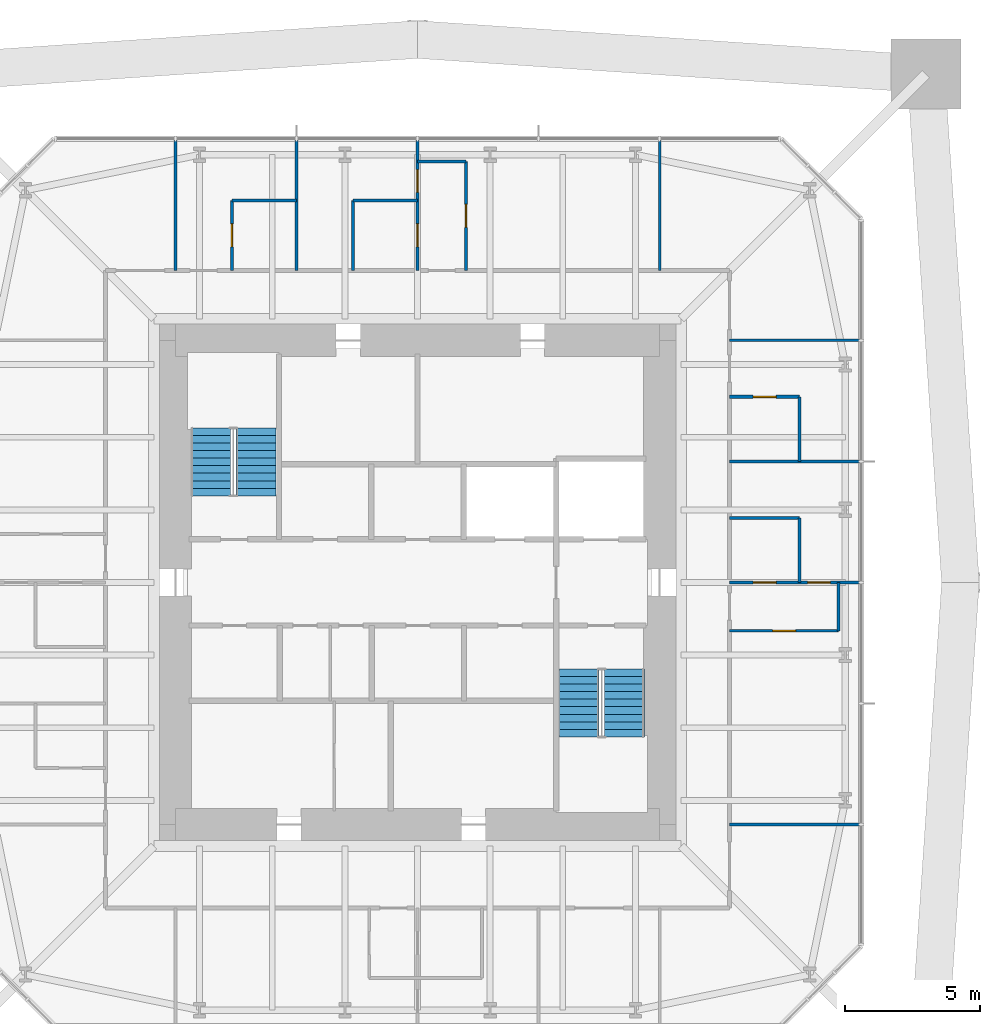
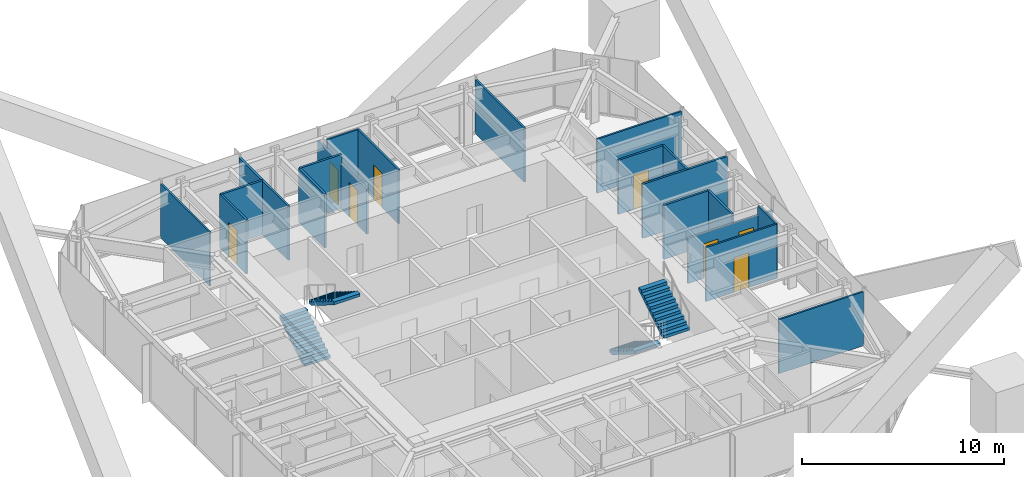
# One storey, part 10 of 11: 20 walls, 8 doors, 4 stair flights, 8 openings, 2 elements without a shape of their own.
"""IFC4 building model written with IfcOpenShell, lengths in metres."""

import ifcopenshell
import ifcopenshell.guid

model = None  # the IFC model being written
_history = None  # IfcOwnerHistory: only IFC2X3 demands one
_inside = {}  # id of a spatial element -> (the spatial element, [elements in it])
_under = {}  # id of a project, library or spatial element -> (it, [spatial elements below it])
_declared = {}  # id of a project -> (the project, [libraries it declares])
_typed = {}  # id of a type object -> (the type object, [elements of that type])
_made_of = {}  # id of a material, layer set ... -> (it, [elements and type objects made of it])


def new_model(schema):
    """Start an empty IFC model of exactly this schema.

    Asked for "IFC4X3", IfcOpenShell would pick the latest addendum, in which some entities
    have other attributes; the version numbers below select the first issue.
    IFC2X3 requires an IfcOwnerHistory on every rooted entity: one is made here for all.
    """
    global model, _history
    if schema == "IFC4X3":
        model = ifcopenshell.file(schema_version=(4, 3, 0, 0))
    else:
        model = ifcopenshell.file(schema=schema)
    _inside.clear()
    _under.clear()
    _declared.clear()
    _typed.clear()
    _made_of.clear()
    _history = None
    if model.schema == "IFC2X3":
        org = make("IfcOrganization", Name="unknown")
        user = make(
            "IfcPersonAndOrganization",
            ThePerson=make("IfcPerson", FamilyName="unknown"),
            TheOrganization=org,
        )
        app = make(
            "IfcApplication",
            ApplicationDeveloper=org,
            Version="unknown",
            ApplicationFullName="unknown",
            ApplicationIdentifier="unknown",
        )
        _history = make(
            "IfcOwnerHistory",
            OwningUser=user,
            OwningApplication=app,
            ChangeAction="ADDED",
            CreationDate=0,
        )
    return model


def make(cls, **values):
    """One entity of the class cls with the attributes given. An attribute that is None is left unset."""
    return model.create_entity(
        cls, **{name: value for name, value in values.items() if value is not None}
    )


def rooted(cls, **values):
    """An entity with a GlobalId (a new one), such as an element, a storey or a relation."""
    return make(cls, GlobalId=ifcopenshell.guid.new(), OwnerHistory=_history, **values)


def si_unit(unit_type, name, prefix=None):
    """IfcSIUnit, for example si_unit("LENGTHUNIT", "METRE", prefix="MILLI")."""
    return make("IfcSIUnit", UnitType=unit_type, Prefix=prefix, Name=name)


def assignment(units):
    """IfcUnitAssignment: the units of a project."""
    return None if units is None else make("IfcUnitAssignment", Units=units)


def point(xyz):
    """IfcCartesianPoint."""
    return None if xyz is None else make("IfcCartesianPoint", Coordinates=xyz)


def direction(xyz):
    """IfcDirection."""
    return None if xyz is None else make("IfcDirection", DirectionRatios=xyz)


def frame(location, z_axis=None, x_axis=None):
    """IfcAxis2Placement3D, a coordinate frame: its origin and axes. An axis left out is left unset."""
    return make(
        "IfcAxis2Placement3D",
        Location=point(location),
        Axis=direction(z_axis),
        RefDirection=direction(x_axis),
    )


def frame_2d(location, x_axis=None):
    """IfcAxis2Placement2D, a coordinate frame in the plane: its origin and x axis."""
    return make(
        "IfcAxis2Placement2D", Location=point(location), RefDirection=direction(x_axis)
    )


def origin():
    """The frame at (0, 0, 0) with its axes left unset."""
    return frame((0.0, 0.0, 0.0))


def place(relative_to, where):
    """IfcLocalPlacement: puts the frame where relative to a parent placement (None: the world)."""
    return make(
        "IfcLocalPlacement", PlacementRelTo=relative_to, RelativePlacement=where
    )


def context(
    kind, dimensions, precision=None, world=None, true_north=None, identifier=None
):
    """IfcGeometricRepresentationContext, for example the 3D "Model" context."""
    return make(
        "IfcGeometricRepresentationContext",
        ContextIdentifier=identifier,
        ContextType=kind,
        CoordinateSpaceDimension=dimensions,
        Precision=precision,
        WorldCoordinateSystem=world,
        TrueNorth=true_north,
    )


def subcontext(parent, identifier, kind, view, scale=None):
    """IfcGeometricRepresentationSubContext, for example "Body" below "Model"."""
    return make(
        "IfcGeometricRepresentationSubContext",
        ContextIdentifier=identifier,
        ContextType=kind,
        ParentContext=parent,
        TargetScale=scale,
        TargetView=view,
    )


def project(units=None, contexts=None):
    """IfcProject with its units and contexts."""
    return rooted(
        "IfcProject",
        Name="project",
        RepresentationContexts=contexts,
        UnitsInContext=assignment(units),
    )


def spatial(cls, under=None, at=None, **own):
    """A site, building, storey or space (cls), placed at a placement, below another one or the project."""
    s = rooted(cls, ObjectPlacement=at, **own)
    if under is not None:
        _under.setdefault(under.id(), (under, []))[1].append(s)
    return s


def polyline(points):
    """IfcPolyline through the points."""
    return make("IfcPolyline", Points=[point(p) for p in points])


def profile(cls, at=None, kind="AREA", **sizes):
    """A parametric profile (cls). Its sizes go by their IFC names, for example OverallWidth=200.0."""
    return make(cls, ProfileType=kind, Position=at, **sizes)


def rectangle(**sizes):
    """IfcRectangleProfileDef."""
    return profile("IfcRectangleProfileDef", **sizes)


def outline(outer, holes=None, kind="AREA"):
    """IfcArbitraryClosedProfileDef: a profile drawn as a closed curve; with holes, ...WithVoids."""
    if holes is None:
        return make("IfcArbitraryClosedProfileDef", ProfileType=kind, OuterCurve=outer)
    return make(
        "IfcArbitraryProfileDefWithVoids",
        ProfileType=kind,
        OuterCurve=outer,
        InnerCurves=holes,
    )


def extrude(swept, where, along, depth):
    """IfcExtrudedAreaSolid: the profile swept, set in the frame where, extruded along a direction by depth."""
    return make(
        "IfcExtrudedAreaSolid",
        SweptArea=swept,
        Position=where,
        ExtrudedDirection=direction(along),
        Depth=depth,
    )


def shape(context_of_items, identifier, shape_type, items):
    """IfcShapeRepresentation: the items that make up one representation, for example the "Body"."""
    return make(
        "IfcShapeRepresentation",
        ContextOfItems=context_of_items,
        RepresentationIdentifier=identifier,
        RepresentationType=shape_type,
        Items=items,
    )


def material(Name=None, Category=None):
    """IfcMaterial."""
    return make("IfcMaterial", Name=Name, Category=Category)


def layer(
    of_material, thickness, ventilated=None, Name=None, Category=None, Priority=None
):
    """IfcMaterialLayer: one layer of a wall or slab, of a material (None: an air gap)."""
    return make(
        "IfcMaterialLayer",
        Material=of_material,
        LayerThickness=thickness,
        IsVentilated=ventilated,
        Name=Name,
        Category=Category,
        Priority=Priority,
    )


def layer_set(layers, Name=None):
    """IfcMaterialLayerSet."""
    return make("IfcMaterialLayerSet", MaterialLayers=layers, LayerSetName=Name)


def constituent(of_material, Name=None, Category=None, fraction=None):
    """IfcMaterialConstituent: one of the materials an element consists of."""
    return make(
        "IfcMaterialConstituent",
        Name=Name,
        Material=of_material,
        Fraction=fraction,
        Category=Category,
    )


def constituent_set(constituents=None, Name=None):
    """IfcMaterialConstituentSet."""
    return make(
        "IfcMaterialConstituentSet", Name=Name, MaterialConstituents=constituents
    )


def made_of(thing, what):
    """Note that an element or type object is made of a material, layer set ...; save() writes the relation."""
    if what is not None:
        _made_of.setdefault(what.id(), (what, []))[1].append(thing)
    return thing


def type_object(cls, material=None, **own):
    """A type object (cls), such as IfcWallType, which elements share."""
    return made_of(rooted(cls, **own), material)


def element(
    cls,
    number,
    at=None,
    inside=None,
    cuts=None,
    type_object=None,
    material=None,
    context=None,
    identifier="Body",
    shape_type=None,
    held_by="IfcProductDefinitionShape",
    body=None,
    shapes=None,
    **own,
):
    """One element of the class cls, such as IfcWall. Its Tag is "e" and its number.

    at: its placement. inside: the storey or other place that contains it. cuts: it is an
    opening in that element (IfcRelVoidsElement). A single representation is given by context,
    identifier, shape_type and body (its items); several are given by shapes. held_by: the class
    of the entity that holds the representations. save() writes the other relations.
    """
    e = rooted(cls, Tag="e%d" % number, ObjectPlacement=at, **own)
    if body is not None:
        shapes = [shape(context, identifier, shape_type, body)]
    if shapes is not None:
        e.Representation = make(held_by, Representations=shapes)
    if inside is not None:
        _inside.setdefault(inside.id(), (inside, []))[1].append(e)
    if cuts is not None:
        rooted(
            "IfcRelVoidsElement", RelatingBuildingElement=cuts, RelatedOpeningElement=e
        )
    if type_object is not None:
        _typed.setdefault(type_object.id(), (type_object, []))[1].append(e)
    return made_of(e, material)


def fill(opening, filler):
    """IfcRelFillsElement: the door or window that sits in an opening."""
    return rooted(
        "IfcRelFillsElement",
        RelatingOpeningElement=opening,
        RelatedBuildingElement=filler,
    )


def aggregate(whole, parts):
    """IfcRelAggregates: a whole, such as a stair, and the parts it consists of."""
    return rooted("IfcRelAggregates", RelatingObject=whole, RelatedObjects=parts)


def save(model, path):
    """Write the relations noted so far, then the file.

    IfcRelAggregates (storeys below a building ...), IfcRelContainedInSpatialStructure (elements
    in a storey), IfcRelDefinesByType, IfcRelAssociatesMaterial and IfcRelDeclares: one each for
    every whole, place, type object, material and project.
    """
    for whole, parts in _under.values():
        aggregate(whole, parts)
    for where, things in _inside.values():
        rooted(
            "IfcRelContainedInSpatialStructure",
            RelatedElements=things,
            RelatingStructure=where,
        )
    for kind, things in _typed.values():
        rooted("IfcRelDefinesByType", RelatedObjects=things, RelatingType=kind)
    for what, things in _made_of.values():
        rooted("IfcRelAssociatesMaterial", RelatedObjects=things, RelatingMaterial=what)
    for by, libraries in _declared.values():
        rooted("IfcRelDeclares", RelatingContext=by, RelatedDefinitions=libraries)
    model.write(path)


model = new_model("IFC4")

# Units and contexts
model_context = context("Model", 3, precision=1e-05, world=origin(), true_north=direction((0.0, 1.0)))
body_context = subcontext(model_context, "Body", "Model", "MODEL_VIEW")
ifc_project = project(units=[si_unit("LENGTHUNIT", "METRE"), si_unit("AREAUNIT", "SQUARE_METRE"), si_unit("VOLUMEUNIT", "CUBIC_METRE"), si_unit("PLANEANGLEUNIT", "RADIAN"), si_unit("MASSUNIT", "GRAM", prefix="KILO")], contexts=[model_context])

# Site, building, storey
site_placement = place(None, origin())
site = spatial("IfcSite", under=ifc_project, at=site_placement, CompositionType="ELEMENT")
building_placement = place(site_placement, origin())
building = spatial("IfcBuilding", under=site, at=building_placement, Name="Iwan Alto Co-Living Towers", CompositionType="ELEMENT")
storey_placement = place(building_placement, frame((0.0, 0.0, 229.0)))
storey = spatial("IfcBuildingStorey", under=building, at=storey_placement, Name="L62", CompositionType="ELEMENT", Elevation=229.0)

# Wall
ifc_material_1 = material(Name="Gypsum board")
ifc_layer_1 = layer(ifc_material_1, 0.012451171875, Name="Board", Category="Finish")
ifc_material_2 = material(Name="Steel ASTM A1003 ST33H cold-formed studs", Category="steel")
ifc_layer_2 = layer(ifc_material_2, 0.074951171875, Name="Studs", Category="Framing")
ifc_layer_3 = layer(ifc_material_1, 0.012451171875, Name="Board", Category="Finish")
ifc_layer_set_1 = layer_set([ifc_layer_1, ifc_layer_2, ifc_layer_3], Name="PARTITION 100")
wall_type_1 = type_object("IfcWallType", Name="PARTITION 100", PredefinedType="PARTITIONING", material=ifc_layer_set_1)
wall_1_placement = place(storey_placement, frame((11.60009765625, -9.0, 0.0), z_axis=(0.0, 0.0, 1.0), x_axis=(1.0, 0.0, 0.0)))
element("IfcWall", 1, at=wall_1_placement, inside=storey, type_object=wall_type_1, Name="Partition L62", PredefinedType="PARTITIONING", context=body_context, shape_type="SweptSolid", body=[
    extrude(rectangle(XDim=4.83984375, YDim=0.10009765625, at=frame_2d((2.419921875, 0.0))), origin(), (0.0, 0.0, 1.0), 3.27001953125),
])

# Wall, opening, door
wall_2_placement = place(storey_placement, frame((11.60009765625, -1.800048828125, 0.0), z_axis=(0.0, 0.0, 1.0), x_axis=(1.0, 0.0, 0.0)))
wall_2 = element("IfcWall", 2, at=wall_2_placement, inside=storey, type_object=wall_type_1, Name="Partition L62", PredefinedType="PARTITIONING", context=body_context, shape_type="SweptSolid", body=[
    extrude(rectangle(XDim=4.0498046875, YDim=0.10009765625, at=frame_2d((2.02490234375, 0.0))), origin(), (0.0, 0.0, 1.0), 3.27001953125),
])
opening_1_placement = place(wall_2_placement, frame((1.60009765625, 0.0, 0.0)))
opening_1 = element("IfcOpeningElement", 3, at=opening_1_placement, cuts=wall_2, Name="Opening D2", PredefinedType="OPENING", context=body_context, shape_type="SweptSolid", body=[
    extrude(rectangle(XDim=0.85009765625, YDim=2.10009765625, at=frame_2d((0.425048828125, 1.050048828125))), frame((0.0, 0.06005859375, 0.0), z_axis=(0.0, -1.0, 0.0), x_axis=(1.0, 0.0, 0.0)), (0.0, 0.0, 1.0), 0.1201171875),
])
ifc_material_3 = material(Name="Timber leaf in steel frame", Category="steel")
door_type = type_object("IfcDoorType", Name="ROOM DOOR 850X2100", OperationType="SINGLE_SWING_LEFT", PredefinedType="DOOR", material=ifc_material_3)
door_1_placement = place(opening_1_placement, frame((0.85009765625, 0.0, 0.0), z_axis=(0.0, 0.0, 1.0), x_axis=(-1.0, 0.0, 0.0)))
door_1 = element("IfcDoor", 4, at=door_1_placement, inside=storey, type_object=door_type, Name="Apartment foyer door L62", OperationType="SINGLE_SWING_RIGHT", OverallHeight=2.10009765625, OverallWidth=0.85009765625, PredefinedType="DOOR", context=body_context, shape_type="SweptSolid", body=[
    extrude(rectangle(XDim=0.85009765625, YDim=2.10009765625, at=frame_2d((0.425048828125, 1.050048828125))), frame((0.0, 0.02490234375, 0.0), z_axis=(0.0, -1.0, 0.0), x_axis=(1.0, 0.0, 0.0)), (0.0, 0.0, 1.0), 0.050048828125),
])
fill(opening_1, door_1)

# Walls
wall_3_placement = place(storey_placement, frame((11.60009765625, 9.0, 0.0), z_axis=(0.0, 0.0, 1.0), x_axis=(1.0, 0.0, 0.0)))
element("IfcWall", 5, at=wall_3_placement, inside=storey, type_object=wall_type_1, Name="Partition L62", PredefinedType="PARTITIONING", context=body_context, shape_type="SweptSolid", body=[
    extrude(rectangle(XDim=4.83984375, YDim=0.10009765625, at=frame_2d((2.419921875, 0.0))), origin(), (0.0, 0.0, 1.0), 3.27001953125),
])
for number, where, z_axis, x_axis, name in (
    (6, (0.0, 15.64990234375, 0.0), (0.0, 0.0, 1.0), (1.0, 0.0, 0.0), "Partition L62"),
    (7, (15.64990234375, -1.800048828125, 0.0), (0.0, 0.0, 1.0), (0.0, 1.0, 0.0), "Partition L62"),
):
    element("IfcWall", number, at=place(storey_placement, frame(where, z_axis=z_axis, x_axis=x_axis)), inside=storey, type_object=wall_type_1, Name=name, PredefinedType="PARTITIONING", context=body_context, shape_type="SweptSolid", body=[
        extrude(rectangle(XDim=1.800048828125, YDim=0.10009765625, at=frame_2d((0.89990234375, 0.0))), origin(), (0.0, 0.0, 1.0), 3.27001953125),
    ])
wall_4_placement = place(storey_placement, frame((9.0, 11.60009765625, 0.0), z_axis=(0.0, 0.0, 1.0), x_axis=(0.0, 1.0, 0.0)))
element("IfcWall", 8, at=wall_4_placement, inside=storey, type_object=wall_type_1, Name="Partition L62", PredefinedType="PARTITIONING", context=body_context, shape_type="SweptSolid", body=[
    extrude(rectangle(XDim=4.83984375, YDim=0.10009765625, at=frame_2d((2.419921875, 0.0))), origin(), (0.0, 0.0, 1.0), 3.27001953125),
])

# Wall, opening, door
wall_5_placement = place(storey_placement, frame((1.800048828125, 11.60009765625, 0.0), z_axis=(0.0, 0.0, 1.0), x_axis=(0.0, 1.0, 0.0)))
wall_5 = element("IfcWall", 9, at=wall_5_placement, inside=storey, type_object=wall_type_1, Name="Partition L62", PredefinedType="PARTITIONING", context=body_context, shape_type="SweptSolid", body=[
    extrude(rectangle(XDim=4.0498046875, YDim=0.10009765625, at=frame_2d((2.02490234375, 0.0))), origin(), (0.0, 0.0, 1.0), 3.27001953125),
])
opening_2_placement = place(wall_5_placement, frame((1.60009765625, 0.0, 0.0)))
opening_2 = element("IfcOpeningElement", 10, at=opening_2_placement, cuts=wall_5, Name="Opening D2", PredefinedType="OPENING", context=body_context, shape_type="SweptSolid", body=[
    extrude(rectangle(XDim=0.85009765625, YDim=2.10009765625, at=frame_2d((0.425048828125, 1.050048828125))), frame((0.0, 0.06005859375, 0.0), z_axis=(0.0, -1.0, 0.0), x_axis=(1.0, 0.0, 0.0)), (0.0, 0.0, 1.0), 0.1201171875),
])
door_2_placement = place(opening_2_placement, frame((0.85009765625, 0.0, 0.0), z_axis=(0.0, 0.0, 1.0), x_axis=(-1.0, 0.0, 0.0)))
door_2 = element("IfcDoor", 11, at=door_2_placement, inside=storey, type_object=door_type, Name="Apartment foyer door L62", OperationType="SINGLE_SWING_RIGHT", OverallHeight=2.10009765625, OverallWidth=0.85009765625, PredefinedType="DOOR", context=body_context, shape_type="SweptSolid", body=[
    extrude(rectangle(XDim=0.85009765625, YDim=2.10009765625, at=frame_2d((0.425048828125, 1.050048828125))), frame((0.0, 0.02490234375, 0.0), z_axis=(0.0, -1.0, 0.0), x_axis=(1.0, 0.0, 0.0)), (0.0, 0.0, 1.0), 0.050048828125),
])
fill(opening_2, door_2)

# Wall
wall_6_placement = place(storey_placement, frame((-9.0, 11.60009765625, 0.0), z_axis=(0.0, 0.0, 1.0), x_axis=(0.0, 1.0, 0.0)))
element("IfcWall", 12, at=wall_6_placement, inside=storey, type_object=wall_type_1, Name="Partition L62", PredefinedType="PARTITIONING", context=body_context, shape_type="SweptSolid", body=[
    extrude(rectangle(XDim=4.83984375, YDim=0.10009765625, at=frame_2d((2.419921875, 0.0))), origin(), (0.0, 0.0, 1.0), 3.27001953125),
])

# Wall, openings, doors
ifc_material_4 = material(Name="Cement board")
ifc_layer_4 = layer(ifc_material_4, 0.012451171875, Name="Board", Category="Finish")
ifc_layer_5 = layer(ifc_material_2, 0.094970703125, Name="Studs", Category="Framing")
ifc_layer_6 = layer(ifc_material_4, 0.012451171875, Name="Board", Category="Finish")
ifc_layer_set_2 = layer_set([ifc_layer_4, ifc_layer_5, ifc_layer_6], Name="WET AREA PARTITION 120")
wall_type_2 = type_object("IfcWallType", Name="WET AREA PARTITION 120", PredefinedType="PARTITIONING", material=ifc_layer_set_2)
wall_7_placement = place(storey_placement, frame((11.60009765625, 0.0, 0.0), z_axis=(0.0, 0.0, 1.0), x_axis=(1.0, 0.0, 0.0)))
wall_7 = element("IfcWall", 13, at=wall_7_placement, inside=storey, type_object=wall_type_2, Name="Partition L62", PredefinedType="PARTITIONING", context=body_context, shape_type="SweptSolid", body=[
    extrude(rectangle(XDim=4.83984375, YDim=0.1201171875, at=frame_2d((2.419921875, 0.0))), origin(), (0.0, 0.0, 1.0), 2.736572265625),
])
opening_3_placement = place(wall_7_placement, frame((2.89990234375, 0.0, 0.0)))
opening_3 = element("IfcOpeningElement", 14, at=opening_3_placement, cuts=wall_7, Name="Opening D2", PredefinedType="OPENING", context=body_context, shape_type="SweptSolid", body=[
    extrude(rectangle(XDim=0.85009765625, YDim=2.10009765625, at=frame_2d((0.425048828125, 1.050048828125))), frame((0.0, 0.070068359375, 0.0), z_axis=(0.0, -1.0, 0.0), x_axis=(1.0, 0.0, 0.0)), (0.0, 0.0, 1.0), 0.14013671875),
])
opening_4_placement = place(wall_7_placement, frame((0.875, 0.0, 0.0)))
opening_4 = element("IfcOpeningElement", 15, at=opening_4_placement, cuts=wall_7, Name="Opening D2", PredefinedType="OPENING", context=body_context, shape_type="SweptSolid", body=[
    extrude(rectangle(XDim=0.85009765625, YDim=2.10009765625, at=frame_2d((0.425048828125, 1.050048828125))), frame((0.0, 0.070068359375, 0.0), z_axis=(0.0, -1.0, 0.0), x_axis=(1.0, 0.0, 0.0)), (0.0, 0.0, 1.0), 0.14013671875),
])
door_3_placement = place(opening_3_placement, origin())
door_3 = element("IfcDoor", 16, at=door_3_placement, inside=storey, type_object=door_type, Name="Bedroom door L62", OperationType="SINGLE_SWING_LEFT", OverallHeight=2.10009765625, OverallWidth=0.85009765625, PredefinedType="DOOR", context=body_context, shape_type="SweptSolid", body=[
    extrude(rectangle(XDim=0.85009765625, YDim=2.10009765625, at=frame_2d((0.425048828125, 1.050048828125))), frame((0.0, 0.02490234375, 0.0), z_axis=(0.0, -1.0, 0.0), x_axis=(1.0, 0.0, 0.0)), (0.0, 0.0, 1.0), 0.050048828125),
])
fill(opening_3, door_3)
door_4_placement = place(opening_4_placement, origin())
door_4 = element("IfcDoor", 17, at=door_4_placement, inside=storey, type_object=door_type, Name="Bathroom door L62", OperationType="SINGLE_SWING_LEFT", OverallHeight=2.10009765625, OverallWidth=0.85009765625, PredefinedType="DOOR", context=body_context, shape_type="SweptSolid", body=[
    extrude(rectangle(XDim=0.85009765625, YDim=2.10009765625, at=frame_2d((0.425048828125, 1.050048828125))), frame((0.0, 0.02490234375, 0.0), z_axis=(0.0, -1.0, 0.0), x_axis=(1.0, 0.0, 0.0)), (0.0, 0.0, 1.0), 0.050048828125),
])
fill(opening_4, door_4)

# Walls
wall_8_placement = place(storey_placement, frame((11.60009765625, 2.39990234375, 0.0), z_axis=(0.0, 0.0, 1.0), x_axis=(1.0, 0.0, 0.0)))
element("IfcWall", 18, at=wall_8_placement, inside=storey, type_object=wall_type_2, Name="Partition L62", PredefinedType="PARTITIONING", context=body_context, shape_type="SweptSolid", body=[
    extrude(rectangle(XDim=2.599853515625, YDim=0.1201171875, at=frame_2d((1.2998046875, 0.0))), origin(), (0.0, 0.0, 1.0), 3.27001953125),
])
wall_9_placement = place(storey_placement, frame((11.60009765625, 4.5, 0.0), z_axis=(0.0, 0.0, 1.0), x_axis=(1.0, 0.0, 0.0)))
element("IfcWall", 19, at=wall_9_placement, inside=storey, type_object=wall_type_2, Name="Partition L62", PredefinedType="PARTITIONING", context=body_context, shape_type="SweptSolid", body=[
    extrude(rectangle(XDim=4.83984375, YDim=0.1201171875, at=frame_2d((2.419921875, 0.0))), origin(), (0.0, 0.0, 1.0), 3.27001953125),
])

# Wall, opening, door
wall_10_placement = place(storey_placement, frame((11.60009765625, 6.89990234375, 0.0), z_axis=(0.0, 0.0, 1.0), x_axis=(1.0, 0.0, 0.0)))
wall_10 = element("IfcWall", 20, at=wall_10_placement, inside=storey, type_object=wall_type_2, Name="Partition L62", PredefinedType="PARTITIONING", context=body_context, shape_type="SweptSolid", body=[
    extrude(rectangle(XDim=2.599853515625, YDim=0.1201171875, at=frame_2d((1.2998046875, 0.0))), origin(), (0.0, 0.0, 1.0), 3.27001953125),
])
opening_5_placement = place(wall_10_placement, frame((0.875, 0.0, 0.0)))
opening_5 = element("IfcOpeningElement", 21, at=opening_5_placement, cuts=wall_10, Name="Opening D2", PredefinedType="OPENING", context=body_context, shape_type="SweptSolid", body=[
    extrude(rectangle(XDim=0.85009765625, YDim=2.10009765625, at=frame_2d((0.425048828125, 1.050048828125))), frame((0.0, 0.070068359375, 0.0), z_axis=(0.0, -1.0, 0.0), x_axis=(1.0, 0.0, 0.0)), (0.0, 0.0, 1.0), 0.14013671875),
])
door_5_placement = place(opening_5_placement, origin())
door_5 = element("IfcDoor", 22, at=door_5_placement, inside=storey, type_object=door_type, Name="En-suite shower room door L62", OperationType="SINGLE_SWING_LEFT", OverallHeight=2.10009765625, OverallWidth=0.85009765625, PredefinedType="DOOR", context=body_context, shape_type="SweptSolid", body=[
    extrude(rectangle(XDim=0.85009765625, YDim=2.10009765625, at=frame_2d((0.425048828125, 1.050048828125))), frame((0.0, 0.02490234375, 0.0), z_axis=(0.0, -1.0, 0.0), x_axis=(1.0, 0.0, 0.0)), (0.0, 0.0, 1.0), 0.050048828125),
])
fill(opening_5, door_5)

# Walls
for number, where, z_axis, x_axis, name in (
    (23, (-6.89990234375, 14.199951171875, 0.0), (0.0, 0.0, 1.0), (1.0, 0.0, 0.0), "Partition L62"),
    (24, (-2.39990234375, 14.199951171875, 0.0), (0.0, 0.0, 1.0), (1.0, 0.0, 0.0), "Partition L62"),
    (25, (14.199951171875, 0.0, 0.0), (0.0, 0.0, 1.0), (0.0, 1.0, 0.0), "Partition L62"),
    (26, (14.199951171875, 4.5, 0.0), (0.0, 0.0, 1.0), (0.0, 1.0, 0.0), "Partition L62"),
):
    element("IfcWall", number, at=place(storey_placement, frame(where, z_axis=z_axis, x_axis=x_axis)), inside=storey, type_object=wall_type_2, Name=name, PredefinedType="PARTITIONING", context=body_context, shape_type="SweptSolid", body=[
        extrude(rectangle(XDim=2.39990234375, YDim=0.1201171875, at=frame_2d((1.199951171875, 0.0))), origin(), (0.0, 0.0, 1.0), 3.27001953125),
    ])

# Wall, openings, doors
wall_11_placement = place(storey_placement, frame((0.0, 11.60009765625, 0.0), z_axis=(0.0, 0.0, 1.0), x_axis=(0.0, 1.0, 0.0)))
wall_11 = element("IfcWall", 27, at=wall_11_placement, inside=storey, type_object=wall_type_2, Name="Partition L62", PredefinedType="PARTITIONING", context=body_context, shape_type="SweptSolid", body=[
    extrude(rectangle(XDim=4.83984375, YDim=0.1201171875, at=frame_2d((2.419921875, 0.0))), origin(), (0.0, 0.0, 1.0), 2.736572265625),
])
opening_6_placement = place(wall_11_placement, frame((2.89990234375, 0.0, 0.0)))
opening_6 = element("IfcOpeningElement", 28, at=opening_6_placement, cuts=wall_11, Name="Opening D2", PredefinedType="OPENING", context=body_context, shape_type="SweptSolid", body=[
    extrude(rectangle(XDim=0.85009765625, YDim=2.10009765625, at=frame_2d((0.425048828125, 1.050048828125))), frame((0.0, 0.070068359375, 0.0), z_axis=(0.0, -1.0, 0.0), x_axis=(1.0, 0.0, 0.0)), (0.0, 0.0, 1.0), 0.14013671875),
])
opening_7_placement = place(wall_11_placement, frame((0.875, 0.0, 0.0)))
opening_7 = element("IfcOpeningElement", 29, at=opening_7_placement, cuts=wall_11, Name="Opening D2", PredefinedType="OPENING", context=body_context, shape_type="SweptSolid", body=[
    extrude(rectangle(XDim=0.85009765625, YDim=2.10009765625, at=frame_2d((0.425048828125, 1.050048828125))), frame((0.0, 0.070068359375, 0.0), z_axis=(0.0, -1.0, 0.0), x_axis=(1.0, 0.0, 0.0)), (0.0, 0.0, 1.0), 0.14013671875),
])
door_6_placement = place(opening_6_placement, origin())
door_6 = element("IfcDoor", 30, at=door_6_placement, inside=storey, type_object=door_type, Name="Bedroom door L62", OperationType="SINGLE_SWING_LEFT", OverallHeight=2.10009765625, OverallWidth=0.85009765625, PredefinedType="DOOR", context=body_context, shape_type="SweptSolid", body=[
    extrude(rectangle(XDim=0.85009765625, YDim=2.10009765625, at=frame_2d((0.425048828125, 1.050048828125))), frame((0.0, 0.02490234375, 0.0), z_axis=(0.0, -1.0, 0.0), x_axis=(1.0, 0.0, 0.0)), (0.0, 0.0, 1.0), 0.050048828125),
])
fill(opening_6, door_6)
door_7_placement = place(opening_7_placement, origin())
door_7 = element("IfcDoor", 31, at=door_7_placement, inside=storey, type_object=door_type, Name="Bathroom door L62", OperationType="SINGLE_SWING_LEFT", OverallHeight=2.10009765625, OverallWidth=0.85009765625, PredefinedType="DOOR", context=body_context, shape_type="SweptSolid", body=[
    extrude(rectangle(XDim=0.85009765625, YDim=2.10009765625, at=frame_2d((0.425048828125, 1.050048828125))), frame((0.0, 0.02490234375, 0.0), z_axis=(0.0, -1.0, 0.0), x_axis=(1.0, 0.0, 0.0)), (0.0, 0.0, 1.0), 0.050048828125),
])
fill(opening_7, door_7)

# Walls
wall_12_placement = place(storey_placement, frame((-2.39990234375, 11.60009765625, 0.0), z_axis=(0.0, 0.0, 1.0), x_axis=(0.0, 1.0, 0.0)))
element("IfcWall", 32, at=wall_12_placement, inside=storey, type_object=wall_type_2, Name="Partition L62", PredefinedType="PARTITIONING", context=body_context, shape_type="SweptSolid", body=[
    extrude(rectangle(XDim=2.599853515625, YDim=0.1201171875, at=frame_2d((1.2998046875, 0.0))), origin(), (0.0, 0.0, 1.0), 3.27001953125),
])
wall_13_placement = place(storey_placement, frame((-4.5, 11.60009765625, 0.0), z_axis=(0.0, 0.0, 1.0), x_axis=(0.0, 1.0, 0.0)))
element("IfcWall", 33, at=wall_13_placement, inside=storey, type_object=wall_type_2, Name="Partition L62", PredefinedType="PARTITIONING", context=body_context, shape_type="SweptSolid", body=[
    extrude(rectangle(XDim=4.83984375, YDim=0.1201171875, at=frame_2d((2.419921875, 0.0))), origin(), (0.0, 0.0, 1.0), 3.27001953125),
])

# Wall, opening, door
wall_14_placement = place(storey_placement, frame((-6.89990234375, 11.60009765625, 0.0), z_axis=(0.0, 0.0, 1.0), x_axis=(0.0, 1.0, 0.0)))
wall_14 = element("IfcWall", 34, at=wall_14_placement, inside=storey, type_object=wall_type_2, Name="Partition L62", PredefinedType="PARTITIONING", context=body_context, shape_type="SweptSolid", body=[
    extrude(rectangle(XDim=2.599853515625, YDim=0.1201171875, at=frame_2d((1.2998046875, 0.0))), origin(), (0.0, 0.0, 1.0), 3.27001953125),
])
opening_8_placement = place(wall_14_placement, frame((0.875, 0.0, 0.0)))
opening_8 = element("IfcOpeningElement", 35, at=opening_8_placement, cuts=wall_14, Name="Opening D2", PredefinedType="OPENING", context=body_context, shape_type="SweptSolid", body=[
    extrude(rectangle(XDim=0.85009765625, YDim=2.10009765625, at=frame_2d((0.425048828125, 1.050048828125))), frame((0.0, 0.070068359375, 0.0), z_axis=(0.0, -1.0, 0.0), x_axis=(1.0, 0.0, 0.0)), (0.0, 0.0, 1.0), 0.14013671875),
])
door_8_placement = place(opening_8_placement, origin())
door_8 = element("IfcDoor", 36, at=door_8_placement, inside=storey, type_object=door_type, Name="En-suite shower room door L62", OperationType="SINGLE_SWING_LEFT", OverallHeight=2.10009765625, OverallWidth=0.85009765625, PredefinedType="DOOR", context=body_context, shape_type="SweptSolid", body=[
    extrude(rectangle(XDim=0.85009765625, YDim=2.10009765625, at=frame_2d((0.425048828125, 1.050048828125))), frame((0.0, 0.02490234375, 0.0), z_axis=(0.0, -1.0, 0.0), x_axis=(1.0, 0.0, 0.0)), (0.0, 0.0, 1.0), 0.050048828125),
])
fill(opening_8, door_8)

# Stair, stair flights
ifc_material_5 = material(Name="Steel ASTM A36", Category="steel")
ifc_constituent_1 = constituent(ifc_material_5, Name="Stringers", Category="LoadBearing")
ifc_material_6 = material(Name="Concrete f'c 30 MPa", Category="concrete")
ifc_constituent_2 = constituent(ifc_material_6, Name="Tread fill", Category="Finish")
ifc_constituent_set_1 = constituent_set(constituents=[ifc_constituent_1, ifc_constituent_2], Name="STAIR 3500 TWO-FLIGHT T1 CORE")
stair_type = type_object("IfcStairType", Name="STAIR 3500 TWO-FLIGHT T1 CORE", PredefinedType="HALF_TURN_STAIR", material=ifc_constituent_set_1)
stair_1_placement = place(storey_placement, origin())
stair_1 = element("IfcStair", 37, at=stair_1_placement, inside=storey, type_object=stair_type, Name="Stair T1-S1 L62 to L63", PredefinedType="HALF_TURN_STAIR")
ifc_constituent_3 = constituent(ifc_material_5, Name="Stringers", Category="LoadBearing")
ifc_constituent_4 = constituent(ifc_material_6, Name="Tread fill", Category="Finish")
ifc_constituent_set_2 = constituent_set(constituents=[ifc_constituent_3, ifc_constituent_4], Name="STAIR FLIGHT 10 RISERS 280 GOING")
stair_flight_type = type_object("IfcStairFlightType", Name="STAIR FLIGHT 10 RISERS 280 GOING", PredefinedType="STRAIGHT", material=ifc_constituent_set_2)
stair_flight_1_placement = place(storey_placement, frame((-7.68994140625, 3.219970703125, 0.0), z_axis=(0.0, 0.0, 1.0), x_axis=(0.0, 1.0, 0.0)))
stair_flight_1 = element("IfcStairFlight", 38, at=stair_flight_1_placement, type_object=stair_flight_type, Name="T1-S1 flight 1", NumberOfRisers=10, NumberOfTreads=9, PredefinedType="STRAIGHT", RiserHeight=0.175, TreadLength=0.28, context=body_context, shape_type="SweptSolid", body=[
    extrude(outline(polyline([(0.0, 0.0), (0.0, 0.175048828125), (0.280029296875, 0.175048828125), (0.280029296875, 0.35009765625), (0.56005859375, 0.35009765625), (0.56005859375, 0.52490234375), (0.840087890625, 0.52490234375), (0.840087890625, 0.699951171875), (1.1201171875, 0.699951171875), (1.1201171875, 0.875), (1.39990234375, 0.875), (1.39990234375, 1.050048828125), (1.679931640625, 1.050048828125), (1.679931640625, 1.22509765625), (1.9599609375, 1.22509765625), (1.9599609375, 1.39990234375), (2.239990234375, 1.39990234375), (2.239990234375, 1.574951171875), (2.52001953125, 1.574951171875), (2.52001953125, 1.75), (2.52001953125, 1.398193359375), (0.28271484375, 0.0), (0.0, 0.0)])), frame((0.0, 0.739990234375, 0.0), z_axis=(0.0, -1.0, 0.0), x_axis=(1.0, 0.0, 0.0)), (0.0, 0.0, 1.0), 1.47998046875),
])
stair_flight_2_placement = place(storey_placement, frame((-6.010009765625, 5.739990234375, 1.75), z_axis=(0.0, 0.0, 1.0), x_axis=(0.0, -1.0, 0.0)))
stair_flight_2 = element("IfcStairFlight", 39, at=stair_flight_2_placement, type_object=stair_flight_type, Name="T1-S1 flight 2", NumberOfRisers=10, NumberOfTreads=9, PredefinedType="STRAIGHT", RiserHeight=0.175, TreadLength=0.28, context=body_context, shape_type="SweptSolid", body=[
    extrude(outline(polyline([(0.0, 0.0), (0.0, 0.175048828125), (0.280029296875, 0.175048828125), (0.280029296875, 0.35009765625), (0.56005859375, 0.35009765625), (0.56005859375, 0.52490234375), (0.840087890625, 0.52490234375), (0.840087890625, 0.699951171875), (1.1201171875, 0.699951171875), (1.1201171875, 0.875), (1.39990234375, 0.875), (1.39990234375, 1.050048828125), (1.679931640625, 1.050048828125), (1.679931640625, 1.22509765625), (1.9599609375, 1.22509765625), (1.9599609375, 1.39990234375), (2.239990234375, 1.39990234375), (2.239990234375, 1.574951171875), (2.52001953125, 1.574951171875), (2.52001953125, 1.75), (2.52001953125, 1.398193359375), (0.28271484375, 0.0), (0.0, 0.0)])), frame((0.0, 0.739990234375, 0.0), z_axis=(0.0, -1.0, 0.0), x_axis=(1.0, 0.0, 0.0)), (0.0, 0.0, 1.0), 1.47998046875),
])
aggregate(stair_1, [stair_flight_1, stair_flight_2])

stair_2_placement = place(storey_placement, origin())
stair_2 = element("IfcStair", 40, at=stair_2_placement, inside=storey, type_object=stair_type, Name="Stair T1-S2 L62 to L63", PredefinedType="HALF_TURN_STAIR")
stair_flight_3_placement = place(storey_placement, frame((6.010009765625, -3.219970703125, 0.0), z_axis=(0.0, 0.0, 1.0), x_axis=(0.0, -1.0, 0.0)))
stair_flight_3 = element("IfcStairFlight", 41, at=stair_flight_3_placement, type_object=stair_flight_type, Name="T1-S2 flight 1", NumberOfRisers=10, NumberOfTreads=9, PredefinedType="STRAIGHT", RiserHeight=0.175, TreadLength=0.28, context=body_context, shape_type="SweptSolid", body=[
    extrude(outline(polyline([(0.0, 0.0), (0.0, 0.175048828125), (0.280029296875, 0.175048828125), (0.280029296875, 0.35009765625), (0.56005859375, 0.35009765625), (0.56005859375, 0.52490234375), (0.840087890625, 0.52490234375), (0.840087890625, 0.699951171875), (1.1201171875, 0.699951171875), (1.1201171875, 0.875), (1.39990234375, 0.875), (1.39990234375, 1.050048828125), (1.679931640625, 1.050048828125), (1.679931640625, 1.22509765625), (1.9599609375, 1.22509765625), (1.9599609375, 1.39990234375), (2.239990234375, 1.39990234375), (2.239990234375, 1.574951171875), (2.52001953125, 1.574951171875), (2.52001953125, 1.75), (2.52001953125, 1.398193359375), (0.28271484375, 0.0), (0.0, 0.0)])), frame((0.0, 0.739990234375, 0.0), z_axis=(0.0, -1.0, 0.0), x_axis=(1.0, 0.0, 0.0)), (0.0, 0.0, 1.0), 1.47998046875),
])
stair_flight_4_placement = place(storey_placement, frame((7.68994140625, -5.739990234375, 1.75), z_axis=(0.0, 0.0, 1.0), x_axis=(0.0, 1.0, 0.0)))
stair_flight_4 = element("IfcStairFlight", 42, at=stair_flight_4_placement, type_object=stair_flight_type, Name="T1-S2 flight 2", NumberOfRisers=10, NumberOfTreads=9, PredefinedType="STRAIGHT", RiserHeight=0.175, TreadLength=0.28, context=body_context, shape_type="SweptSolid", body=[
    extrude(outline(polyline([(0.0, 0.0), (0.0, 0.175048828125), (0.280029296875, 0.175048828125), (0.280029296875, 0.35009765625), (0.56005859375, 0.35009765625), (0.56005859375, 0.52490234375), (0.840087890625, 0.52490234375), (0.840087890625, 0.699951171875), (1.1201171875, 0.699951171875), (1.1201171875, 0.875), (1.39990234375, 0.875), (1.39990234375, 1.050048828125), (1.679931640625, 1.050048828125), (1.679931640625, 1.22509765625), (1.9599609375, 1.22509765625), (1.9599609375, 1.39990234375), (2.239990234375, 1.39990234375), (2.239990234375, 1.574951171875), (2.52001953125, 1.574951171875), (2.52001953125, 1.75), (2.52001953125, 1.398193359375), (0.28271484375, 0.0), (0.0, 0.0)])), frame((0.0, 0.739990234375, 0.0), z_axis=(0.0, -1.0, 0.0), x_axis=(1.0, 0.0, 0.0)), (0.0, 0.0, 1.0), 1.47998046875),
])
aggregate(stair_2, [stair_flight_3, stair_flight_4])

save(model, "model.ifc")
